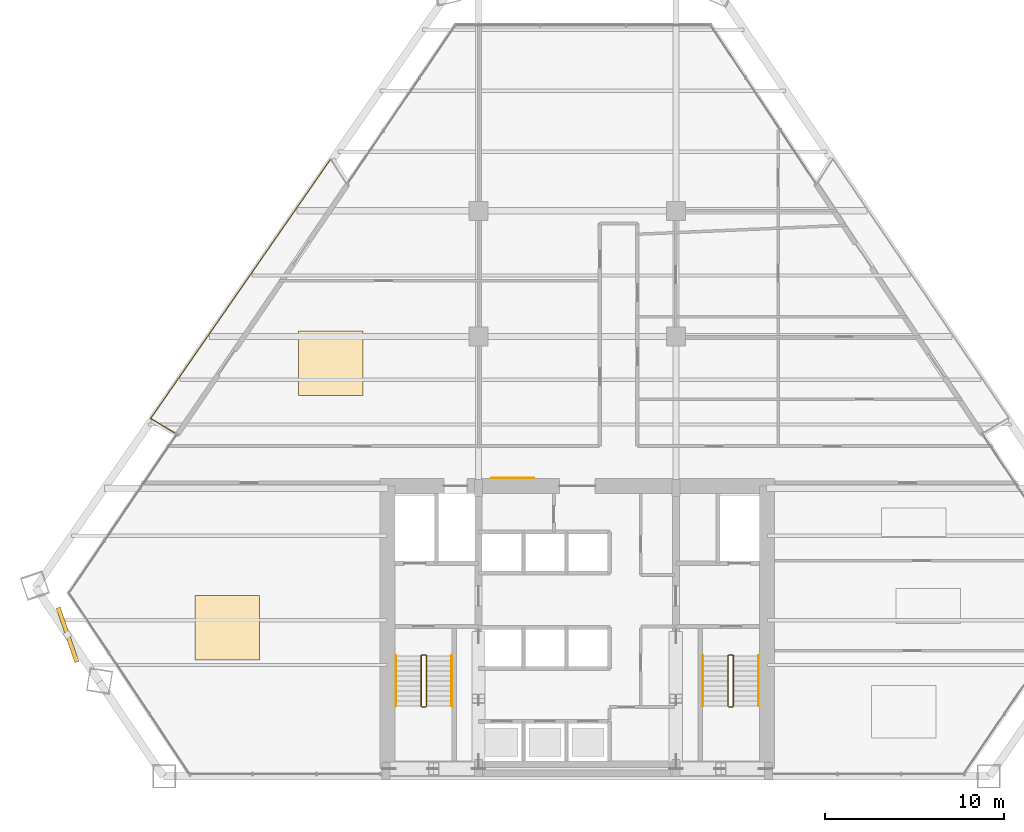
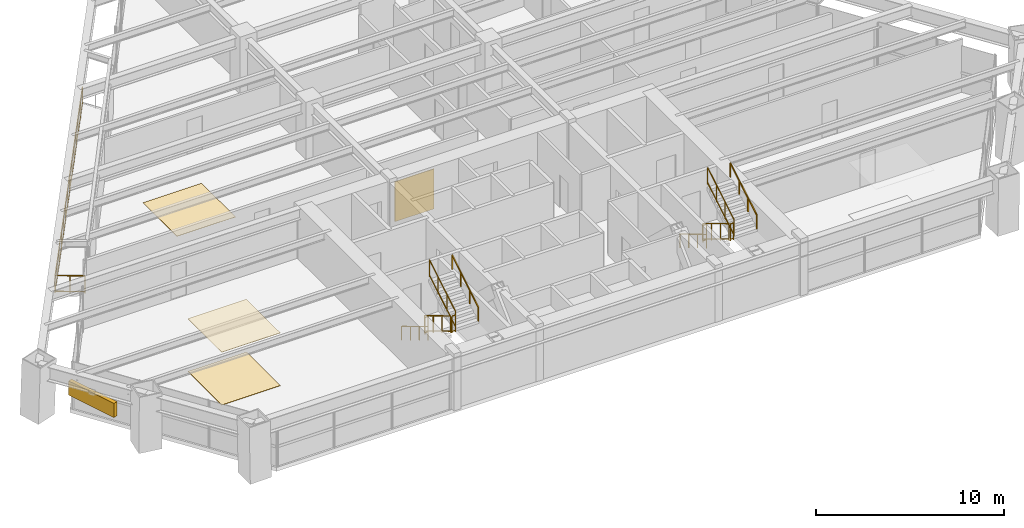
# One storey, part 13 of 15: 14 railings, 4 coverings, 1 shading device.
"""IFC4 building model written with IfcOpenShell, lengths in metres."""

from ifc_helpers import new_model, si_unit, direction, frame, origin, origin_2d, place, context, subcontext, project, spatial, rectangle, extrude, source, transform, mapped, material, layer, layer_set, type_object, type_shapes, element, save


model = new_model("IFC4")

# Units and contexts
model_context = context("Model", 3, precision=1e-05, world=origin(), true_north=direction((0.0, 1.0)))
body_context = subcontext(model_context, "Body", "Model", "MODEL_VIEW")
ifc_project = project(units=[si_unit("LENGTHUNIT", "METRE"), si_unit("AREAUNIT", "SQUARE_METRE"), si_unit("VOLUMEUNIT", "CUBIC_METRE"), si_unit("PLANEANGLEUNIT", "RADIAN"), si_unit("MASSUNIT", "GRAM", prefix="KILO")], contexts=[model_context])

# Site, building, storey
site_placement = place(None, origin())
site = spatial("IfcSite", under=ifc_project, at=site_placement, CompositionType="ELEMENT")
building_placement = place(site_placement, origin())
building = spatial("IfcBuilding", under=site, at=building_placement, Name="Varnakhor Terracotta Tower", CompositionType="ELEMENT")
storey_placement = place(building_placement, frame((0.0, 0.0, 57.10009765625)))
storey = spatial("IfcBuildingStorey", under=building, at=storey_placement, Name="L13", CompositionType="ELEMENT", Elevation=57.10009765625)

# Railings
ifc_material_1 = material(Name="Stainless Steel & Laminated Glass Guardrail", Category="steel")
railing_type_1 = type_object("IfcRailingType", Name="RLG-LOGGIA-GUARD-1150", PredefinedType="GUARDRAIL", material=ifc_material_1)
railing_1_placement = place(storey_placement, frame((-22.401611328125, 19.11083984375, 0.0)))
element("IfcRailing", 1, at=railing_1_placement, inside=storey, type_object=railing_type_1, Name="L13 W Loggia Glass Guard 1", PredefinedType="GUARDRAIL", context=body_context, shape_type="SweptSolid", body=[
    extrude(rectangle(XDim=0.048095703125, YDim=0.048095703125, at=origin_2d()), frame((0.0, 0.0, 1.1259765625), z_axis=(-0.854996145879, 0.518634351477, 0.0), x_axis=(-0.518634351477, -0.854996145879, 0.0)), (0.0, 0.0, 1.0), 1.593994140625),
    extrude(rectangle(XDim=0.048095703125, YDim=0.048095703125, at=origin_2d()), frame((0.0, 0.0, 0.10009765625), z_axis=(-0.854996145879, 0.518634351477, 0.0), x_axis=(-0.518634351477, -0.854996145879, 0.0)), (0.0, 0.0, 1.0), 1.593994140625),
    extrude(rectangle(XDim=0.0419921875, YDim=0.0419921875, at=origin_2d()), origin(), (0.0, 0.0, 1.0), 1.101806640625),
    extrude(rectangle(XDim=0.0419921875, YDim=0.0419921875, at=origin_2d()), frame((-0.681396484375, 0.413330078125, 0.0)), (0.0, 0.0, 1.0), 1.101806640625),
    extrude(rectangle(XDim=0.0419921875, YDim=0.0419921875, at=origin_2d()), frame((-1.36279296875, 0.82666015625, 0.0)), (0.0, 0.0, 1.0), 1.101806640625),
])
railing_2_placement = place(storey_placement, frame((-23.764404296875, 19.9375, 0.0)))
element("IfcRailing", 2, at=railing_2_placement, inside=storey, type_object=railing_type_1, Name="L13 W Loggia Glass Guard 2", PredefinedType="GUARDRAIL", context=body_context, shape_type="SweptSolid", body=[
    extrude(rectangle(XDim=0.048095703125, YDim=0.048095703125, at=origin_2d()), frame((0.0, 0.0, 1.1259765625), z_axis=(0.570068535597, 0.821597142596, 0.0), x_axis=(-0.821597142596, 0.570068535597, 0.0)), (0.0, 0.0, 1.0), 17.5751953125),
    extrude(rectangle(XDim=0.048095703125, YDim=0.048095703125, at=origin_2d()), frame((0.0, 0.0, 0.10009765625), z_axis=(0.570068535597, 0.821597142596, 0.0), x_axis=(-0.821597142596, 0.570068535597, 0.0)), (0.0, 0.0, 1.0), 17.5751953125),
    extrude(rectangle(XDim=0.0419921875, YDim=0.0419921875, at=origin_2d()), origin(), (0.0, 0.0, 1.0), 1.101806640625),
    extrude(rectangle(XDim=0.0419921875, YDim=0.0419921875, at=origin_2d()), frame((0.770751953125, 1.11083984375, 0.0)), (0.0, 0.0, 1.0), 1.101806640625),
    extrude(rectangle(XDim=0.0419921875, YDim=0.0419921875, at=origin_2d()), frame((1.54150390625, 2.221435546875, 0.0)), (0.0, 0.0, 1.0), 1.101806640625),
    extrude(rectangle(XDim=0.0419921875, YDim=0.0419921875, at=origin_2d()), frame((2.31201171875, 3.332275390625, 0.0)), (0.0, 0.0, 1.0), 1.101806640625),
    extrude(rectangle(XDim=0.0419921875, YDim=0.0419921875, at=origin_2d()), frame((3.082763671875, 4.44287109375, 0.0)), (0.0, 0.0, 1.0), 1.101806640625),
    extrude(rectangle(XDim=0.0419921875, YDim=0.0419921875, at=origin_2d()), frame((3.853515625, 5.5537109375, 0.0)), (0.0, 0.0, 1.0), 1.101806640625),
    extrude(rectangle(XDim=0.0419921875, YDim=0.0419921875, at=origin_2d()), frame((4.624267578125, 6.66455078125, 0.0)), (0.0, 0.0, 1.0), 1.101806640625),
    extrude(rectangle(XDim=0.0419921875, YDim=0.0419921875, at=origin_2d()), frame((5.394775390625, 7.775146484375, 0.0)), (0.0, 0.0, 1.0), 1.101806640625),
    extrude(rectangle(XDim=0.0419921875, YDim=0.0419921875, at=origin_2d()), frame((6.16552734375, 8.885986328125, 0.0)), (0.0, 0.0, 1.0), 1.101806640625),
    extrude(rectangle(XDim=0.0419921875, YDim=0.0419921875, at=origin_2d()), frame((6.936279296875, 9.996826171875, 0.0)), (0.0, 0.0, 1.0), 1.101806640625),
    extrude(rectangle(XDim=0.0419921875, YDim=0.0419921875, at=origin_2d()), frame((7.70703125, 11.107421875, 0.0)), (0.0, 0.0, 1.0), 1.101806640625),
    extrude(rectangle(XDim=0.0419921875, YDim=0.0419921875, at=origin_2d()), frame((8.4775390625, 12.21826171875, 0.0)), (0.0, 0.0, 1.0), 1.101806640625),
    extrude(rectangle(XDim=0.0419921875, YDim=0.0419921875, at=origin_2d()), frame((9.248291015625, 13.328857421875, 0.0)), (0.0, 0.0, 1.0), 1.101806640625),
    extrude(rectangle(XDim=0.0419921875, YDim=0.0419921875, at=origin_2d()), frame((10.01904296875, 14.439697265625, 0.0)), (0.0, 0.0, 1.0), 1.101806640625),
])
ifc_material_2 = material(Name="Painted Steel Stairwell Guardrail", Category="steel")
railing_type_2 = type_object("IfcRailingType", Name="RLG-STAIR-GUARD-1120", PredefinedType="GUARDRAIL", material=ifc_material_2)
railing_3_placement = place(storey_placement, frame((-8.699951171875, 6.7099609375, 0.16796875)))
element("IfcRailing", 3, at=railing_3_placement, inside=storey, type_object=railing_type_2, Name="L13 ST-1 stair guard 1", PredefinedType="GUARDRAIL", context=body_context, shape_type="SweptSolid", body=[
    extrude(rectangle(XDim=0.048095703125, YDim=0.048095703125, at=origin_2d()), frame((0.0, 0.0, 1.09619140625), z_axis=(0.0, -0.857242210791, 0.514913383045), x_axis=(1.0, 0.0, 0.0)), (0.0, 0.0, 1.0), 3.266357421875),
    extrude(rectangle(XDim=0.048095703125, YDim=0.048095703125, at=origin_2d()), frame((0.0, 0.0, 0.10009765625), z_axis=(0.0, -0.857242210791, 0.514913383045), x_axis=(1.0, 0.0, 0.0)), (0.0, 0.0, 1.0), 3.266357421875),
    extrude(rectangle(XDim=0.0419921875, YDim=0.0419921875, at=origin_2d()), origin(), (0.0, 0.0, 1.0), 1.072021484375),
    extrude(rectangle(XDim=0.0419921875, YDim=0.0419921875, at=origin_2d()), frame((0.0, -0.933349609375, 0.560546875)), (0.0, 0.0, 1.0), 1.072021484375),
    extrude(rectangle(XDim=0.0419921875, YDim=0.0419921875, at=origin_2d()), frame((0.0, -1.86669921875, 1.121337890625)), (0.0, 0.0, 1.0), 1.072021484375),
    extrude(rectangle(XDim=0.0419921875, YDim=0.0419921875, at=origin_2d()), frame((0.0, -2.800048828125, 1.681884765625)), (0.0, 0.0, 1.0), 1.072021484375),
])
railing_4_placement = place(storey_placement, frame((-8.64990234375, 3.860107421875, 1.849853515625)))
element("IfcRailing", 4, at=railing_4_placement, inside=storey, type_object=railing_type_2, Name="L13 ST-1 stair guard 2", PredefinedType="GUARDRAIL", context=body_context, shape_type="SweptSolid", body=[
    extrude(rectangle(XDim=0.048095703125, YDim=0.048095703125, at=origin_2d()), frame((0.0, 0.0, 1.09619140625), z_axis=(1.0, 0.0, 0.0), x_axis=(0.0, 1.0, 0.0)), (0.0, 0.0, 1.0), 0.199951171875),
    extrude(rectangle(XDim=0.048095703125, YDim=0.048095703125, at=origin_2d()), frame((0.0, 0.0, 0.10009765625), z_axis=(1.0, 0.0, 0.0), x_axis=(0.0, 1.0, 0.0)), (0.0, 0.0, 1.0), 0.199951171875),
    extrude(rectangle(XDim=0.0419921875, YDim=0.0419921875, at=origin_2d()), origin(), (0.0, 0.0, 1.0), 1.072021484375),
    extrude(rectangle(XDim=0.0419921875, YDim=0.0419921875, at=origin_2d()), frame((0.199951171875, 0.0, 0.0)), (0.0, 0.0, 1.0), 1.072021484375),
])
railing_5_placement = place(storey_placement, frame((-8.39990234375, 3.909912109375, 2.01806640625)))
element("IfcRailing", 5, at=railing_5_placement, inside=storey, type_object=railing_type_2, Name="L13 ST-1 stair guard 3", PredefinedType="GUARDRAIL", context=body_context, shape_type="SweptSolid", body=[
    extrude(rectangle(XDim=0.048095703125, YDim=0.048095703125, at=origin_2d()), frame((0.0, 0.0, 1.09619140625), z_axis=(0.0, 0.857242210791, 0.514913383045), x_axis=(-1.0, 0.0, 0.0)), (0.0, 0.0, 1.0), 3.266357421875),
    extrude(rectangle(XDim=0.048095703125, YDim=0.048095703125, at=origin_2d()), frame((0.0, 0.0, 0.10009765625), z_axis=(0.0, 0.857242210791, 0.514913383045), x_axis=(-1.0, 0.0, 0.0)), (0.0, 0.0, 1.0), 3.266357421875),
    extrude(rectangle(XDim=0.0419921875, YDim=0.0419921875, at=origin_2d()), origin(), (0.0, 0.0, 1.0), 1.072021484375),
    extrude(rectangle(XDim=0.0419921875, YDim=0.0419921875, at=origin_2d()), frame((0.0, 0.933349609375, 0.560546875)), (0.0, 0.0, 1.0), 1.072021484375),
    extrude(rectangle(XDim=0.0419921875, YDim=0.0419921875, at=origin_2d()), frame((0.0, 1.86669921875, 1.121337890625)), (0.0, 0.0, 1.0), 1.072021484375),
    extrude(rectangle(XDim=0.0419921875, YDim=0.0419921875, at=origin_2d()), frame((0.0, 2.800048828125, 1.681884765625)), (0.0, 0.0, 1.0), 1.072021484375),
])
railing_6_placement = place(storey_placement, frame((-8.64990234375, 6.760009765625, 0.0)))
element("IfcRailing", 6, at=railing_6_placement, inside=storey, type_object=railing_type_2, Name="L13 ST-1 stair guard 4", PredefinedType="GUARDRAIL", context=body_context, shape_type="SweptSolid", body=[
    extrude(rectangle(XDim=0.048095703125, YDim=0.048095703125, at=origin_2d()), frame((0.0, 0.0, 1.09619140625), z_axis=(1.0, 0.0, 0.0), x_axis=(0.0, 1.0, 0.0)), (0.0, 0.0, 1.0), 0.199951171875),
    extrude(rectangle(XDim=0.048095703125, YDim=0.048095703125, at=origin_2d()), frame((0.0, 0.0, 0.10009765625), z_axis=(1.0, 0.0, 0.0), x_axis=(0.0, 1.0, 0.0)), (0.0, 0.0, 1.0), 0.199951171875),
    extrude(rectangle(XDim=0.0419921875, YDim=0.0419921875, at=origin_2d()), origin(), (0.0, 0.0, 1.0), 1.072021484375),
    extrude(rectangle(XDim=0.0419921875, YDim=0.0419921875, at=origin_2d()), frame((0.199951171875, 0.0, 0.0)), (0.0, 0.0, 1.0), 1.072021484375),
])
railing_7_placement = place(storey_placement, frame((8.39990234375, 6.7099609375, 0.16796875)))
element("IfcRailing", 7, at=railing_7_placement, inside=storey, type_object=railing_type_2, Name="L13 ST-2 stair guard 1", PredefinedType="GUARDRAIL", context=body_context, shape_type="SweptSolid", body=[
    extrude(rectangle(XDim=0.048095703125, YDim=0.048095703125, at=origin_2d()), frame((0.0, 0.0, 1.09619140625), z_axis=(0.0, -0.857242210791, 0.514913383045), x_axis=(1.0, 0.0, 0.0)), (0.0, 0.0, 1.0), 3.266357421875),
    extrude(rectangle(XDim=0.048095703125, YDim=0.048095703125, at=origin_2d()), frame((0.0, 0.0, 0.10009765625), z_axis=(0.0, -0.857242210791, 0.514913383045), x_axis=(1.0, 0.0, 0.0)), (0.0, 0.0, 1.0), 3.266357421875),
    extrude(rectangle(XDim=0.0419921875, YDim=0.0419921875, at=origin_2d()), origin(), (0.0, 0.0, 1.0), 1.072021484375),
    extrude(rectangle(XDim=0.0419921875, YDim=0.0419921875, at=origin_2d()), frame((0.0, -0.933349609375, 0.560546875)), (0.0, 0.0, 1.0), 1.072021484375),
    extrude(rectangle(XDim=0.0419921875, YDim=0.0419921875, at=origin_2d()), frame((0.0, -1.86669921875, 1.121337890625)), (0.0, 0.0, 1.0), 1.072021484375),
    extrude(rectangle(XDim=0.0419921875, YDim=0.0419921875, at=origin_2d()), frame((0.0, -2.800048828125, 1.681884765625)), (0.0, 0.0, 1.0), 1.072021484375),
])
railing_8_placement = place(storey_placement, frame((8.449951171875, 3.860107421875, 1.849853515625)))
element("IfcRailing", 8, at=railing_8_placement, inside=storey, type_object=railing_type_2, Name="L13 ST-2 stair guard 2", PredefinedType="GUARDRAIL", context=body_context, shape_type="SweptSolid", body=[
    extrude(rectangle(XDim=0.048095703125, YDim=0.048095703125, at=origin_2d()), frame((0.0, 0.0, 1.09619140625), z_axis=(1.0, 0.0, 0.0), x_axis=(0.0, 1.0, 0.0)), (0.0, 0.0, 1.0), 0.199951171875),
    extrude(rectangle(XDim=0.048095703125, YDim=0.048095703125, at=origin_2d()), frame((0.0, 0.0, 0.10009765625), z_axis=(1.0, 0.0, 0.0), x_axis=(0.0, 1.0, 0.0)), (0.0, 0.0, 1.0), 0.199951171875),
    extrude(rectangle(XDim=0.0419921875, YDim=0.0419921875, at=origin_2d()), origin(), (0.0, 0.0, 1.0), 1.072021484375),
    extrude(rectangle(XDim=0.0419921875, YDim=0.0419921875, at=origin_2d()), frame((0.199951171875, 0.0, 0.0)), (0.0, 0.0, 1.0), 1.072021484375),
])
railing_9_placement = place(storey_placement, frame((8.699951171875, 3.909912109375, 2.01806640625)))
element("IfcRailing", 9, at=railing_9_placement, inside=storey, type_object=railing_type_2, Name="L13 ST-2 stair guard 3", PredefinedType="GUARDRAIL", context=body_context, shape_type="SweptSolid", body=[
    extrude(rectangle(XDim=0.048095703125, YDim=0.048095703125, at=origin_2d()), frame((0.0, 0.0, 1.09619140625), z_axis=(0.0, 0.857242210791, 0.514913383045), x_axis=(-1.0, 0.0, 0.0)), (0.0, 0.0, 1.0), 3.266357421875),
    extrude(rectangle(XDim=0.048095703125, YDim=0.048095703125, at=origin_2d()), frame((0.0, 0.0, 0.10009765625), z_axis=(0.0, 0.857242210791, 0.514913383045), x_axis=(-1.0, 0.0, 0.0)), (0.0, 0.0, 1.0), 3.266357421875),
    extrude(rectangle(XDim=0.0419921875, YDim=0.0419921875, at=origin_2d()), origin(), (0.0, 0.0, 1.0), 1.072021484375),
    extrude(rectangle(XDim=0.0419921875, YDim=0.0419921875, at=origin_2d()), frame((0.0, 0.933349609375, 0.560546875)), (0.0, 0.0, 1.0), 1.072021484375),
    extrude(rectangle(XDim=0.0419921875, YDim=0.0419921875, at=origin_2d()), frame((0.0, 1.86669921875, 1.121337890625)), (0.0, 0.0, 1.0), 1.072021484375),
    extrude(rectangle(XDim=0.0419921875, YDim=0.0419921875, at=origin_2d()), frame((0.0, 2.800048828125, 1.681884765625)), (0.0, 0.0, 1.0), 1.072021484375),
])
railing_10_placement = place(storey_placement, frame((8.449951171875, 6.760009765625, 0.0)))
element("IfcRailing", 10, at=railing_10_placement, inside=storey, type_object=railing_type_2, Name="L13 ST-2 stair guard 4", PredefinedType="GUARDRAIL", context=body_context, shape_type="SweptSolid", body=[
    extrude(rectangle(XDim=0.048095703125, YDim=0.048095703125, at=origin_2d()), frame((0.0, 0.0, 1.09619140625), z_axis=(1.0, 0.0, 0.0), x_axis=(0.0, 1.0, 0.0)), (0.0, 0.0, 1.0), 0.199951171875),
    extrude(rectangle(XDim=0.048095703125, YDim=0.048095703125, at=origin_2d()), frame((0.0, 0.0, 0.10009765625), z_axis=(1.0, 0.0, 0.0), x_axis=(0.0, 1.0, 0.0)), (0.0, 0.0, 1.0), 0.199951171875),
    extrude(rectangle(XDim=0.0419921875, YDim=0.0419921875, at=origin_2d()), origin(), (0.0, 0.0, 1.0), 1.072021484375),
    extrude(rectangle(XDim=0.0419921875, YDim=0.0419921875, at=origin_2d()), frame((0.199951171875, 0.0, 0.0)), (0.0, 0.0, 1.0), 1.072021484375),
])
ifc_material_3 = material(Name="Brushed Stainless Steel Handrail", Category="steel")
railing_type_3 = type_object("IfcRailingType", Name="RLG-STAIR-HANDRAIL-920", PredefinedType="HANDRAIL", material=ifc_material_3)
railing_11_placement = place(storey_placement, frame((-10.10009765625, 6.7099609375, 0.16796875)))
element("IfcRailing", 11, at=railing_11_placement, inside=storey, type_object=railing_type_3, Name="L13 ST-1 stair handrail 1", PredefinedType="HANDRAIL", context=body_context, shape_type="SweptSolid", body=[
    extrude(rectangle(XDim=0.048095703125, YDim=0.048095703125, at=origin_2d()), frame((0.0, 0.0, 0.89599609375), z_axis=(0.0, -0.857242210791, 0.514913383045), x_axis=(1.0, 0.0, 0.0)), (0.0, 0.0, 1.0), 3.266357421875),
    extrude(rectangle(XDim=0.0419921875, YDim=0.0419921875, at=origin_2d()), origin(), (0.0, 0.0, 1.0), 0.871826171875),
    extrude(rectangle(XDim=0.0419921875, YDim=0.0419921875, at=origin_2d()), frame((0.0, -0.933349609375, 0.560546875)), (0.0, 0.0, 1.0), 0.871826171875),
    extrude(rectangle(XDim=0.0419921875, YDim=0.0419921875, at=origin_2d()), frame((0.0, -1.86669921875, 1.121337890625)), (0.0, 0.0, 1.0), 0.871826171875),
    extrude(rectangle(XDim=0.0419921875, YDim=0.0419921875, at=origin_2d()), frame((0.0, -2.800048828125, 1.681884765625)), (0.0, 0.0, 1.0), 0.871826171875),
])
railing_12_placement = place(storey_placement, frame((-7.0, 3.909912109375, 2.01806640625)))
element("IfcRailing", 12, at=railing_12_placement, inside=storey, type_object=railing_type_3, Name="L13 ST-1 stair handrail 2", PredefinedType="HANDRAIL", context=body_context, shape_type="SweptSolid", body=[
    extrude(rectangle(XDim=0.048095703125, YDim=0.048095703125, at=origin_2d()), frame((0.0, 0.0, 0.89599609375), z_axis=(0.0, 0.857242210791, 0.514913383045), x_axis=(-1.0, 0.0, 0.0)), (0.0, 0.0, 1.0), 3.266357421875),
    extrude(rectangle(XDim=0.0419921875, YDim=0.0419921875, at=origin_2d()), origin(), (0.0, 0.0, 1.0), 0.871826171875),
    extrude(rectangle(XDim=0.0419921875, YDim=0.0419921875, at=origin_2d()), frame((0.0, 0.933349609375, 0.560546875)), (0.0, 0.0, 1.0), 0.871826171875),
    extrude(rectangle(XDim=0.0419921875, YDim=0.0419921875, at=origin_2d()), frame((0.0, 1.86669921875, 1.121337890625)), (0.0, 0.0, 1.0), 0.871826171875),
    extrude(rectangle(XDim=0.0419921875, YDim=0.0419921875, at=origin_2d()), frame((0.0, 2.800048828125, 1.681884765625)), (0.0, 0.0, 1.0), 0.871826171875),
])
railing_13_placement = place(storey_placement, frame((7.0, 6.7099609375, 0.16796875)))
element("IfcRailing", 13, at=railing_13_placement, inside=storey, type_object=railing_type_3, Name="L13 ST-2 stair handrail 1", PredefinedType="HANDRAIL", context=body_context, shape_type="SweptSolid", body=[
    extrude(rectangle(XDim=0.048095703125, YDim=0.048095703125, at=origin_2d()), frame((0.0, 0.0, 0.89599609375), z_axis=(0.0, -0.857242210791, 0.514913383045), x_axis=(1.0, 0.0, 0.0)), (0.0, 0.0, 1.0), 3.266357421875),
    extrude(rectangle(XDim=0.0419921875, YDim=0.0419921875, at=origin_2d()), origin(), (0.0, 0.0, 1.0), 0.871826171875),
    extrude(rectangle(XDim=0.0419921875, YDim=0.0419921875, at=origin_2d()), frame((0.0, -0.933349609375, 0.560546875)), (0.0, 0.0, 1.0), 0.871826171875),
    extrude(rectangle(XDim=0.0419921875, YDim=0.0419921875, at=origin_2d()), frame((0.0, -1.86669921875, 1.121337890625)), (0.0, 0.0, 1.0), 0.871826171875),
    extrude(rectangle(XDim=0.0419921875, YDim=0.0419921875, at=origin_2d()), frame((0.0, -2.800048828125, 1.681884765625)), (0.0, 0.0, 1.0), 0.871826171875),
])
railing_14_placement = place(storey_placement, frame((10.10009765625, 3.909912109375, 2.01806640625)))
element("IfcRailing", 14, at=railing_14_placement, inside=storey, type_object=railing_type_3, Name="L13 ST-2 stair handrail 2", PredefinedType="HANDRAIL", context=body_context, shape_type="SweptSolid", body=[
    extrude(rectangle(XDim=0.048095703125, YDim=0.048095703125, at=origin_2d()), frame((0.0, 0.0, 0.89599609375), z_axis=(0.0, 0.857242210791, 0.514913383045), x_axis=(-1.0, 0.0, 0.0)), (0.0, 0.0, 1.0), 3.266357421875),
    extrude(rectangle(XDim=0.0419921875, YDim=0.0419921875, at=origin_2d()), origin(), (0.0, 0.0, 1.0), 0.871826171875),
    extrude(rectangle(XDim=0.0419921875, YDim=0.0419921875, at=origin_2d()), frame((0.0, 0.933349609375, 0.560546875)), (0.0, 0.0, 1.0), 0.871826171875),
    extrude(rectangle(XDim=0.0419921875, YDim=0.0419921875, at=origin_2d()), frame((0.0, 1.86669921875, 1.121337890625)), (0.0, 0.0, 1.0), 0.871826171875),
    extrude(rectangle(XDim=0.0419921875, YDim=0.0419921875, at=origin_2d()), frame((0.0, 2.800048828125, 1.681884765625)), (0.0, 0.0, 1.0), 0.871826171875),
])

# Shading device
ifc_material_4 = material(Name="Extruded Architectural Terracotta Screen", Category="masonry")
shading_device_type = type_object("IfcShadingDeviceType", Name="TERRACOTTA SOLAR SCREEN W", PredefinedType="USERDEFINED", material=ifc_material_4)
shared_shape_1 = source(origin(), body_context, "Body", "SweptSolid", [
    extrude(rectangle(XDim=3.199951171875, YDim=0.239990234375, at=origin_2d()), origin(), (0.0, 0.0, 1.0), 0.919921875),
])
type_shapes(shading_device_type, [shared_shape_1])
shading_device_placement = place(storey_placement, frame((-28.399658203125, 7.883544921875, 1.617919921875), z_axis=(0.0, 0.0, 1.0), x_axis=(0.327201406459, -0.944954623043, 0.0)))
element("IfcShadingDevice", 15, at=shading_device_placement, inside=storey, type_object=shading_device_type, Name="L13 W Terracotta Solar Screen", ObjectType="SCREEN", PredefinedType="USERDEFINED", context=body_context, shape_type="MappedRepresentation", body=[
    mapped(shared_shape_1, transform((0.0, 0.0, 0.0), scale=1.0)),
])

# Coverings
ifc_material_5 = material(Name="Extruded Architectural Terracotta Cladding", Category="masonry")
ifc_layer_1 = layer(ifc_material_5, 0.044921875, Name="Extruded Architectural Terracotta Cladding")
ifc_layer_set_1 = layer_set([ifc_layer_1], Name="Extruded Architectural Terracotta Cladding")
covering_type_1 = type_object("IfcCoveringType", Name="COV-CLAD-TERRACOTTA", PredefinedType="CLADDING", material=ifc_layer_set_1)
shared_shape_2 = source(origin(), body_context, "Body", "SweptSolid", [
    extrude(rectangle(XDim=2.39990234375, YDim=0.030029296875, at=origin_2d()), origin(), (0.0, 0.0, 1.0), 2.60009765625),
])
type_shapes(covering_type_1, [shared_shape_2])
covering_1_placement = place(storey_placement, frame((-3.60009765625, 16.612060546875, -0.000244140625), z_axis=(0.0, 0.0, 1.0), x_axis=(1.0, 0.0, 0.0)))
element("IfcCovering", 16, at=covering_1_placement, inside=storey, type_object=covering_type_1, Name="L13 Core Lobby Limestone Cladding", PredefinedType="CLADDING", context=body_context, shape_type="MappedRepresentation", body=[
    mapped(shared_shape_2, transform((0.0, 0.0, 0.0), scale=1.0)),
])
ifc_material_6 = material(Name="Honed Riyadh Limestone Flooring", Category="masonry")
ifc_layer_2 = layer(ifc_material_6, 0.030029296875, Name="Honed Riyadh Limestone Flooring")
ifc_layer_set_2 = layer_set([ifc_layer_2], Name="Honed Riyadh Limestone Flooring")
covering_type_2 = type_object("IfcCoveringType", Name="COV-FLOOR-LIMESTONE", PredefinedType="FLOORING", material=ifc_layer_set_2)
shared_shape_3 = source(origin(), body_context, "Body", "SweptSolid", [
    extrude(rectangle(XDim=3.60009765625, YDim=3.60009765625, at=origin_2d()), origin(), (0.0, 0.0, 1.0), 0.02001953125),
])
for number, where, z_axis, x_axis, name in (
    (17, (-19.4990234375, 8.26611328125, 0.0), (0.0, 0.0, 1.0), (1.0, 0.0, 0.0), "L13 Honed Stone Flooring 2"),
    (18, (-13.739013671875, 23.010986328125, 0.0), (0.0, 0.0, 1.0), (1.0, 0.0, 0.0), "L13 Honed Stone Flooring 5"),
):
    element("IfcCovering", number, at=place(storey_placement, frame(where, z_axis=z_axis, x_axis=x_axis)), inside=storey, type_object=covering_type_2, Name=name, PredefinedType="FLOORING", context=body_context, shape_type="MappedRepresentation", body=[
        mapped(shared_shape_3, transform((0.0, 0.0, 0.0), scale=1.0)),
    ])
ifc_material_7 = material(Name="Perforated Acoustic Mineral-Fibre Ceiling", Category="gypsum")
ifc_layer_3 = layer(ifc_material_7, 0.02490234375, Name="Perforated Acoustic Mineral-Fibre Ceiling")
ifc_layer_set_3 = layer_set([ifc_layer_3], Name="Perforated Acoustic Mineral-Fibre Ceiling")
covering_type_3 = type_object("IfcCoveringType", Name="COV-CEILING-ACOUSTIC", PredefinedType="CEILING", material=ifc_layer_set_3)
shared_shape_4 = source(origin(), body_context, "Body", "SweptSolid", [
    extrude(rectangle(XDim=3.60009765625, YDim=3.60009765625, at=origin_2d()), origin(), (0.0, 0.0, 1.0), 0.02392578125),
])
covering_2_placement = place(storey_placement, frame((-19.4990234375, 8.26611328125, 3.426025390625), z_axis=(0.0, 0.0, 1.0), x_axis=(1.0, 0.0, 0.0)))
element("IfcCovering", 19, at=covering_2_placement, inside=storey, type_object=covering_type_3, Name="L13 Acoustic Ceiling Panel 2", PredefinedType="CEILING", context=body_context, shape_type="MappedRepresentation", body=[
    mapped(shared_shape_4, transform((0.0, 0.0, 0.0), scale=1.0)),
])

save(model, "model.ifc")
